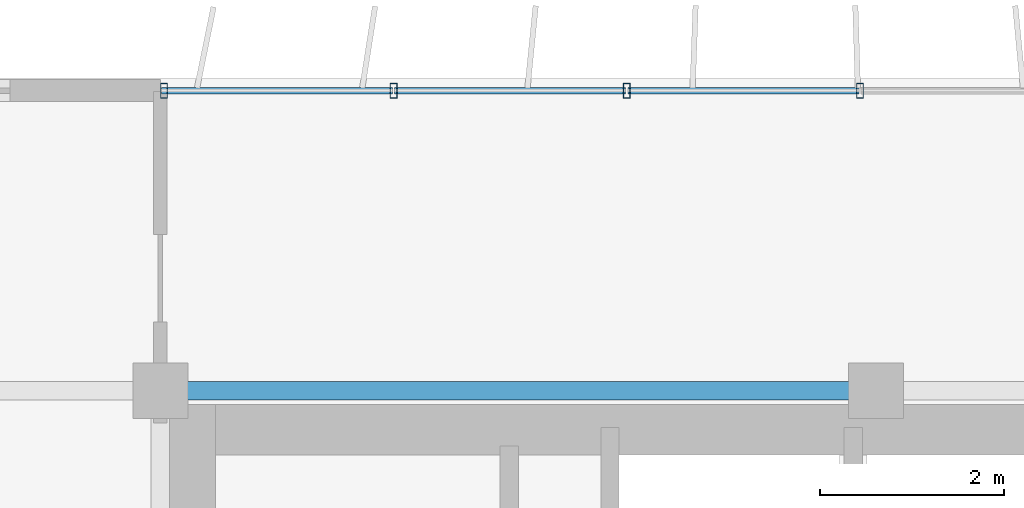
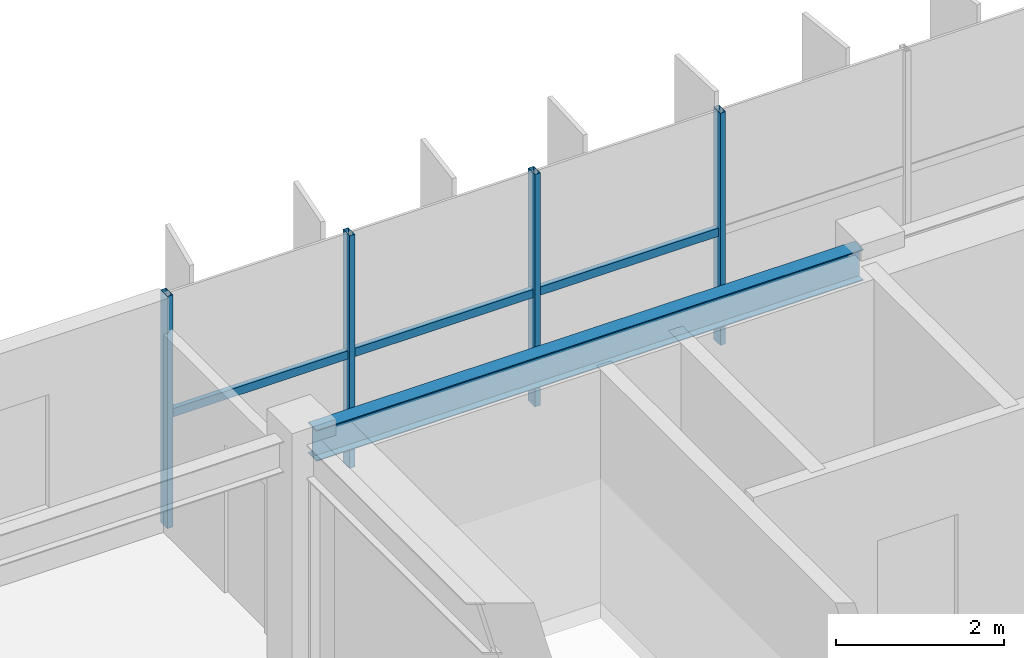
# One storey, part 6 of 22: 7 members, 1 beam, 1 element without a shape of its own.
"""IFC4 building model written with IfcOpenShell, lengths in metres."""

import ifcopenshell
import ifcopenshell.guid

model = None  # the IFC model being written
_history = None  # IfcOwnerHistory: only IFC2X3 demands one
_inside = {}  # id of a spatial element -> (the spatial element, [elements in it])
_under = {}  # id of a project, library or spatial element -> (it, [spatial elements below it])
_declared = {}  # id of a project -> (the project, [libraries it declares])
_typed = {}  # id of a type object -> (the type object, [elements of that type])
_made_of = {}  # id of a material, layer set ... -> (it, [elements and type objects made of it])


def new_model(schema):
    """Start an empty IFC model of exactly this schema.

    Asked for "IFC4X3", IfcOpenShell would pick the latest addendum, in which some entities
    have other attributes; the version numbers below select the first issue.
    IFC2X3 requires an IfcOwnerHistory on every rooted entity: one is made here for all.
    """
    global model, _history
    if schema == "IFC4X3":
        model = ifcopenshell.file(schema_version=(4, 3, 0, 0))
    else:
        model = ifcopenshell.file(schema=schema)
    _inside.clear()
    _under.clear()
    _declared.clear()
    _typed.clear()
    _made_of.clear()
    _history = None
    if model.schema == "IFC2X3":
        org = make("IfcOrganization", Name="unknown")
        user = make(
            "IfcPersonAndOrganization",
            ThePerson=make("IfcPerson", FamilyName="unknown"),
            TheOrganization=org,
        )
        app = make(
            "IfcApplication",
            ApplicationDeveloper=org,
            Version="unknown",
            ApplicationFullName="unknown",
            ApplicationIdentifier="unknown",
        )
        _history = make(
            "IfcOwnerHistory",
            OwningUser=user,
            OwningApplication=app,
            ChangeAction="ADDED",
            CreationDate=0,
        )
    return model


def make(cls, **values):
    """One entity of the class cls with the attributes given. An attribute that is None is left unset."""
    return model.create_entity(
        cls, **{name: value for name, value in values.items() if value is not None}
    )


def rooted(cls, **values):
    """An entity with a GlobalId (a new one), such as an element, a storey or a relation."""
    return make(cls, GlobalId=ifcopenshell.guid.new(), OwnerHistory=_history, **values)


def si_unit(unit_type, name, prefix=None):
    """IfcSIUnit, for example si_unit("LENGTHUNIT", "METRE", prefix="MILLI")."""
    return make("IfcSIUnit", UnitType=unit_type, Prefix=prefix, Name=name)


def assignment(units):
    """IfcUnitAssignment: the units of a project."""
    return None if units is None else make("IfcUnitAssignment", Units=units)


def point(xyz):
    """IfcCartesianPoint."""
    return None if xyz is None else make("IfcCartesianPoint", Coordinates=xyz)


def direction(xyz):
    """IfcDirection."""
    return None if xyz is None else make("IfcDirection", DirectionRatios=xyz)


def frame(location, z_axis=None, x_axis=None):
    """IfcAxis2Placement3D, a coordinate frame: its origin and axes. An axis left out is left unset."""
    return make(
        "IfcAxis2Placement3D",
        Location=point(location),
        Axis=direction(z_axis),
        RefDirection=direction(x_axis),
    )


def frame_2d(location, x_axis=None):
    """IfcAxis2Placement2D, a coordinate frame in the plane: its origin and x axis."""
    return make(
        "IfcAxis2Placement2D", Location=point(location), RefDirection=direction(x_axis)
    )


def origin():
    """The frame at (0, 0, 0) with its axes left unset."""
    return frame((0.0, 0.0, 0.0))


def origin_2d():
    """The frame at (0, 0) in the plane with its x axis left unset."""
    return frame_2d((0.0, 0.0))


def place(relative_to, where):
    """IfcLocalPlacement: puts the frame where relative to a parent placement (None: the world)."""
    return make(
        "IfcLocalPlacement", PlacementRelTo=relative_to, RelativePlacement=where
    )


def context(
    kind, dimensions, precision=None, world=None, true_north=None, identifier=None
):
    """IfcGeometricRepresentationContext, for example the 3D "Model" context."""
    return make(
        "IfcGeometricRepresentationContext",
        ContextIdentifier=identifier,
        ContextType=kind,
        CoordinateSpaceDimension=dimensions,
        Precision=precision,
        WorldCoordinateSystem=world,
        TrueNorth=true_north,
    )


def subcontext(parent, identifier, kind, view, scale=None):
    """IfcGeometricRepresentationSubContext, for example "Body" below "Model"."""
    return make(
        "IfcGeometricRepresentationSubContext",
        ContextIdentifier=identifier,
        ContextType=kind,
        ParentContext=parent,
        TargetScale=scale,
        TargetView=view,
    )


def project(units=None, contexts=None):
    """IfcProject with its units and contexts."""
    return rooted(
        "IfcProject",
        Name="project",
        RepresentationContexts=contexts,
        UnitsInContext=assignment(units),
    )


def spatial(cls, under=None, at=None, **own):
    """A site, building, storey or space (cls), placed at a placement, below another one or the project."""
    s = rooted(cls, ObjectPlacement=at, **own)
    if under is not None:
        _under.setdefault(under.id(), (under, []))[1].append(s)
    return s


def profile(cls, at=None, kind="AREA", **sizes):
    """A parametric profile (cls). Its sizes go by their IFC names, for example OverallWidth=200.0."""
    return make(cls, ProfileType=kind, Position=at, **sizes)


def hollow_rectangle(**sizes):
    """IfcRectangleHollowProfileDef."""
    return profile("IfcRectangleHollowProfileDef", **sizes)


def i_section(**sizes):
    """IfcIShapeProfileDef."""
    return profile("IfcIShapeProfileDef", **sizes)


def extrude(swept, where, along, depth):
    """IfcExtrudedAreaSolid: the profile swept, set in the frame where, extruded along a direction by depth."""
    return make(
        "IfcExtrudedAreaSolid",
        SweptArea=swept,
        Position=where,
        ExtrudedDirection=direction(along),
        Depth=depth,
    )


def shape(context_of_items, identifier, shape_type, items):
    """IfcShapeRepresentation: the items that make up one representation, for example the "Body"."""
    return make(
        "IfcShapeRepresentation",
        ContextOfItems=context_of_items,
        RepresentationIdentifier=identifier,
        RepresentationType=shape_type,
        Items=items,
    )


def source(mapping_origin, context_of_items, identifier, shape_type, items):
    """IfcRepresentationMap: a shape defined once, which mapped items show again and again."""
    return make(
        "IfcRepresentationMap",
        MappingOrigin=mapping_origin,
        MappedRepresentation=shape(context_of_items, identifier, shape_type, items),
    )


def transform(
    local_origin,
    x_axis=None,
    y_axis=None,
    z_axis=None,
    scale=None,
    scale2=None,
    scale3=None,
    uniform=True,
):
    """IfcCartesianTransformationOperator3D, or its non-uniform kind. x_axis, y_axis, z_axis: its Axis1, 2, 3."""
    if uniform:
        return make(
            "IfcCartesianTransformationOperator3D",
            Axis1=direction(x_axis),
            Axis2=direction(y_axis),
            LocalOrigin=point(local_origin),
            Scale=scale,
            Axis3=direction(z_axis),
        )
    return make(
        "IfcCartesianTransformationOperator3DnonUniform",
        Axis1=direction(x_axis),
        Axis2=direction(y_axis),
        LocalOrigin=point(local_origin),
        Scale=scale,
        Axis3=direction(z_axis),
        Scale2=scale2,
        Scale3=scale3,
    )


def mapped(mapping_source, mapping_target):
    """IfcMappedItem: shows the shape of a source again, moved by a transform."""
    return make(
        "IfcMappedItem", MappingSource=mapping_source, MappingTarget=mapping_target
    )


def material(Name=None, Category=None):
    """IfcMaterial."""
    return make("IfcMaterial", Name=Name, Category=Category)


def material_profile(
    of_material, cross_section, Name=None, Category=None, Priority=None
):
    """IfcMaterialProfile: a cross section and its material."""
    return make(
        "IfcMaterialProfile",
        Name=Name,
        Material=of_material,
        Profile=cross_section,
        Priority=Priority,
        Category=Category,
    )


def profile_set(profiles, Name=None, composite=None):
    """IfcMaterialProfileSet."""
    return make(
        "IfcMaterialProfileSet",
        Name=Name,
        MaterialProfiles=profiles,
        CompositeProfile=composite,
    )


def made_of(thing, what):
    """Note that an element or type object is made of a material, layer set ...; save() writes the relation."""
    if what is not None:
        _made_of.setdefault(what.id(), (what, []))[1].append(thing)
    return thing


def type_object(cls, material=None, **own):
    """A type object (cls), such as IfcWallType, which elements share."""
    return made_of(rooted(cls, **own), material)


def element(
    cls,
    number,
    at=None,
    inside=None,
    cuts=None,
    type_object=None,
    material=None,
    context=None,
    identifier="Body",
    shape_type=None,
    held_by="IfcProductDefinitionShape",
    body=None,
    shapes=None,
    **own,
):
    """One element of the class cls, such as IfcWall. Its Tag is "e" and its number.

    at: its placement. inside: the storey or other place that contains it. cuts: it is an
    opening in that element (IfcRelVoidsElement). A single representation is given by context,
    identifier, shape_type and body (its items); several are given by shapes. held_by: the class
    of the entity that holds the representations. save() writes the other relations.
    """
    e = rooted(cls, Tag="e%d" % number, ObjectPlacement=at, **own)
    if body is not None:
        shapes = [shape(context, identifier, shape_type, body)]
    if shapes is not None:
        e.Representation = make(held_by, Representations=shapes)
    if inside is not None:
        _inside.setdefault(inside.id(), (inside, []))[1].append(e)
    if cuts is not None:
        rooted(
            "IfcRelVoidsElement", RelatingBuildingElement=cuts, RelatedOpeningElement=e
        )
    if type_object is not None:
        _typed.setdefault(type_object.id(), (type_object, []))[1].append(e)
    return made_of(e, material)


def aggregate(whole, parts):
    """IfcRelAggregates: a whole, such as a stair, and the parts it consists of."""
    return rooted("IfcRelAggregates", RelatingObject=whole, RelatedObjects=parts)


def save(model, path):
    """Write the relations noted so far, then the file.

    IfcRelAggregates (storeys below a building ...), IfcRelContainedInSpatialStructure (elements
    in a storey), IfcRelDefinesByType, IfcRelAssociatesMaterial and IfcRelDeclares: one each for
    every whole, place, type object, material and project.
    """
    for whole, parts in _under.values():
        aggregate(whole, parts)
    for where, things in _inside.values():
        rooted(
            "IfcRelContainedInSpatialStructure",
            RelatedElements=things,
            RelatingStructure=where,
        )
    for kind, things in _typed.values():
        rooted("IfcRelDefinesByType", RelatedObjects=things, RelatingType=kind)
    for what, things in _made_of.values():
        rooted("IfcRelAssociatesMaterial", RelatedObjects=things, RelatingMaterial=what)
    for by, libraries in _declared.values():
        rooted("IfcRelDeclares", RelatingContext=by, RelatedDefinitions=libraries)
    model.write(path)


model = new_model("IFC4")

# Units and contexts
model_context = context("Model", 3, precision=1e-05, world=origin(), true_north=direction((0.0, 1.0)))
body_context = subcontext(model_context, "Body", "Model", "MODEL_VIEW")
ifc_project = project(units=[si_unit("LENGTHUNIT", "METRE"), si_unit("AREAUNIT", "SQUARE_METRE"), si_unit("VOLUMEUNIT", "CUBIC_METRE"), si_unit("PLANEANGLEUNIT", "RADIAN"), si_unit("MASSUNIT", "GRAM", prefix="KILO")], contexts=[model_context])

# Site, building, storey
site_placement = place(None, origin())
site = spatial("IfcSite", under=ifc_project, at=site_placement, CompositionType="ELEMENT")
building_placement = place(site_placement, origin())
building = spatial("IfcBuilding", under=site, at=building_placement, Name="Trelvane Seafront Commons", CompositionType="ELEMENT")
storey_placement = place(building_placement, frame((0.0, 0.0, 277.5)))
storey = spatial("IfcBuildingStorey", under=building, at=storey_placement, Name="L72", CompositionType="ELEMENT", Elevation=277.5)

# Beam
ifc_material_1 = material(Name="Steel SM355 (S355)", Category="steel")
ifc_material_profile_1 = material_profile(ifc_material_1, i_section(OverallWidth=0.199951171875, OverallDepth=0.449951171875, WebThickness=0.009033203125, FlangeThickness=0.013916015625, at=origin_2d()), Name="H-450x200x9x14")
ifc_profile_set_1 = profile_set([ifc_material_profile_1], Name="Steel SM355 (S355)")
beam_type = type_object("IfcBeamType", Name="STR-SPD-H450", PredefinedType="SPANDREL", material=ifc_profile_set_1)
shared_shape_1 = source(origin(), body_context, "Body", "SweptSolid", [
    extrude(i_section(OverallWidth=0.199951171875, OverallDepth=0.449951171875, WebThickness=0.009033203125, FlangeThickness=0.013916015625, at=origin_2d()), origin(), (0.0, 0.0, 1.0), 7.5),
])
beam_placement = place(storey_placement, frame((15.75, 45.10009765625, 3.14501953125), z_axis=(1.0, 0.0, 0.0), x_axis=(0.0, 1.0, 0.0)))
element("IfcBeam", 1, at=beam_placement, inside=storey, type_object=beam_type, Name="L72 Primary Girder G-23", PredefinedType="SPANDREL", context=body_context, shape_type="MappedRepresentation", body=[
    mapped(shared_shape_1, transform((0.0, 0.0, 0.0), x_axis=(1.0, 0.0, 0.0), y_axis=(0.0, 1.0, 0.0), z_axis=(0.0, 0.0, 1.0), scale=1.0)),
])

# Curtain wall, members
ifc_material_2 = material(Name="Anodised pale-silver aluminium", Category="aluminium")
curtain_wall_type = type_object("IfcCurtainWallType", Name="ARCH-CW5-UPTOWER", PredefinedType="NOTDEFINED", material=ifc_material_2)
curtain_wall_placement = place(storey_placement, origin())
curtain_wall = element("IfcCurtainWall", 2, at=curtain_wall_placement, inside=storey, type_object=curtain_wall_type, Name="CW-L72-0116", PredefinedType="NOTDEFINED")
ifc_material_profile_2 = material_profile(ifc_material_2, hollow_rectangle(XDim=0.070068359375, YDim=0.1201171875, WallThickness=0.00390625, at=origin_2d()), Name="TRAN-70x120x4")
ifc_profile_set_2 = profile_set([ifc_material_profile_2], Name="Anodised pale-silver aluminium")
member_type_1 = type_object("IfcMemberType", Name="ARCH-CW-TRAN-120", PredefinedType="USERDEFINED", material=ifc_profile_set_2)
shared_shape_2 = source(origin(), body_context, "Body", "SweptSolid", [
    extrude(hollow_rectangle(XDim=0.070068359375, YDim=0.1201171875, WallThickness=0.00390625, at=origin_2d()), origin(), (0.0, 0.0, 1.0), 2.51708984375),
])
member_1_placement = place(storey_placement, frame((15.612060546875, 48.3701171875, 1.617919921875), z_axis=(1.0, 0.0, 0.0), x_axis=(0.0, 1.0, 0.0)))
member_1 = element("IfcMember", 3, at=member_1_placement, type_object=member_type_1, Name="CW-L72-0116-T00", ObjectType="TRANSOM", PredefinedType="USERDEFINED", context=body_context, shape_type="MappedRepresentation", body=[
    mapped(shared_shape_2, transform((0.0, 0.0, 0.0), x_axis=(1.0, 0.0, 0.0), y_axis=(0.0, 1.0, 0.0), z_axis=(0.0, 0.0, 1.0), scale=1.0)),
])
member_2_placement = place(storey_placement, frame((18.1533203125, 48.3701171875, 1.617919921875), z_axis=(1.0, 0.0, 0.0), x_axis=(0.0, 1.0, 0.0)))
member_2 = element("IfcMember", 4, at=member_2_placement, type_object=member_type_1, Name="CW-L72-0116-T01", ObjectType="TRANSOM", PredefinedType="USERDEFINED", context=body_context, shape_type="MappedRepresentation", body=[
    mapped(shared_shape_2, transform((0.0, 0.0, 0.0), x_axis=(1.0, 0.0, 0.0), y_axis=(0.0, 1.0, 0.0), z_axis=(0.0, 0.0, 1.0), scale=1.0)),
])
member_3_placement = place(storey_placement, frame((20.6943359375, 48.3701171875, 1.617919921875), z_axis=(1.0, 0.0, 0.0), x_axis=(0.0, 1.0, 0.0)))
member_3 = element("IfcMember", 5, at=member_3_placement, type_object=member_type_1, Name="CW-L72-0116-T02", ObjectType="TRANSOM", PredefinedType="USERDEFINED", context=body_context, shape_type="MappedRepresentation", body=[
    mapped(shared_shape_2, transform((0.0, 0.0, 0.0), x_axis=(1.0, 0.0, 0.0), y_axis=(0.0, 1.0, 0.0), z_axis=(0.0, 0.0, 1.0), scale=1.0)),
])
ifc_material_profile_3 = material_profile(ifc_material_2, hollow_rectangle(XDim=0.074951171875, YDim=0.159912109375, WallThickness=0.00390625, at=origin_2d()), Name="MULL-75x160x4")
ifc_profile_set_3 = profile_set([ifc_material_profile_3], Name="Anodised pale-silver aluminium")
member_type_2 = type_object("IfcMemberType", Name="ARCH-CW-MULL-160", PredefinedType="MULLION", material=ifc_profile_set_3)
shared_shape_3 = source(origin(), body_context, "Body", "SweptSolid", [
    extrude(hollow_rectangle(XDim=0.074951171875, YDim=0.159912109375, WallThickness=0.00390625, at=origin_2d()), origin(), (0.0, 0.0, 1.0), 3.3701171875),
])
member_4_placement = place(storey_placement, frame((15.639892578125, 48.3701171875, 0.0), z_axis=(0.0, 0.0, 1.0), x_axis=(1.0, 0.0, 0.0)))
member_4 = element("IfcMember", 6, at=member_4_placement, type_object=member_type_2, Name="CW-L72-0116-M00", PredefinedType="MULLION", context=body_context, shape_type="MappedRepresentation", body=[
    mapped(shared_shape_3, transform((0.0, 0.0, 0.0), x_axis=(1.0, 0.0, 0.0), y_axis=(0.0, 1.0, 0.0), z_axis=(0.0, 0.0, 1.0), scale=1.0)),
])
member_5_placement = place(storey_placement, frame((18.14111328125, 48.3701171875, 0.0), z_axis=(0.0, 0.0, 1.0), x_axis=(1.0, 0.0, 0.0)))
member_5 = element("IfcMember", 7, at=member_5_placement, type_object=member_type_2, Name="CW-L72-0116-M01", PredefinedType="MULLION", context=body_context, shape_type="MappedRepresentation", body=[
    mapped(shared_shape_3, transform((0.0, 0.0, 0.0), x_axis=(1.0, 0.0, 0.0), y_axis=(0.0, 1.0, 0.0), z_axis=(0.0, 0.0, 1.0), scale=1.0)),
])
member_6_placement = place(storey_placement, frame((20.682373046875, 48.3701171875, 0.0), z_axis=(0.0, 0.0, 1.0), x_axis=(1.0, 0.0, 0.0)))
member_6 = element("IfcMember", 8, at=member_6_placement, type_object=member_type_2, Name="CW-L72-0116-M02", PredefinedType="MULLION", context=body_context, shape_type="MappedRepresentation", body=[
    mapped(shared_shape_3, transform((0.0, 0.0, 0.0), x_axis=(1.0, 0.0, 0.0), y_axis=(0.0, 1.0, 0.0), z_axis=(0.0, 0.0, 1.0), scale=1.0)),
])
member_7_placement = place(storey_placement, frame((23.223388671875, 48.3701171875, 0.0), z_axis=(0.0, 0.0, 1.0), x_axis=(1.0, 0.0, 0.0)))
member_7 = element("IfcMember", 9, at=member_7_placement, type_object=member_type_2, Name="CW-L72-0116-M03", PredefinedType="MULLION", context=body_context, shape_type="MappedRepresentation", body=[
    mapped(shared_shape_3, transform((0.0, 0.0, 0.0), x_axis=(1.0, 0.0, 0.0), y_axis=(0.0, 1.0, 0.0), z_axis=(0.0, 0.0, 1.0), scale=1.0)),
])
aggregate(curtain_wall, [member_4, member_5, member_6, member_7, member_1, member_2, member_3])

save(model, "model.ifc")
